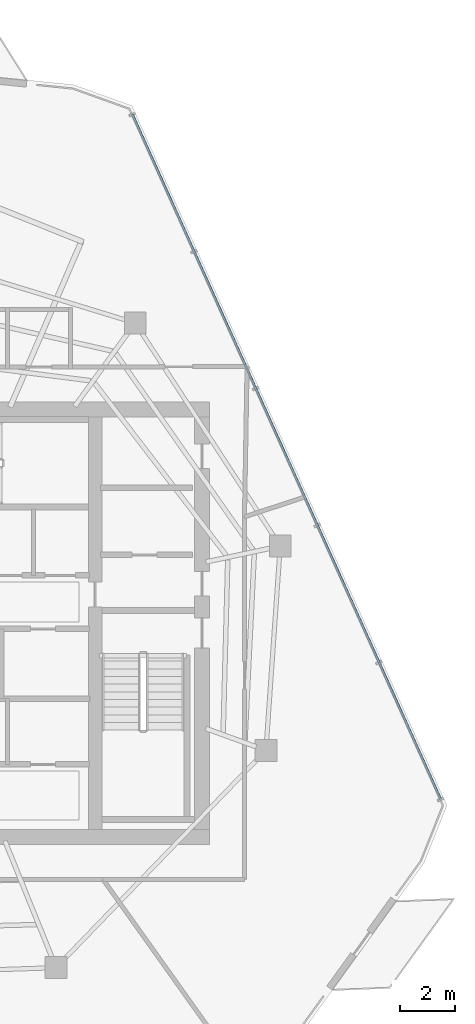
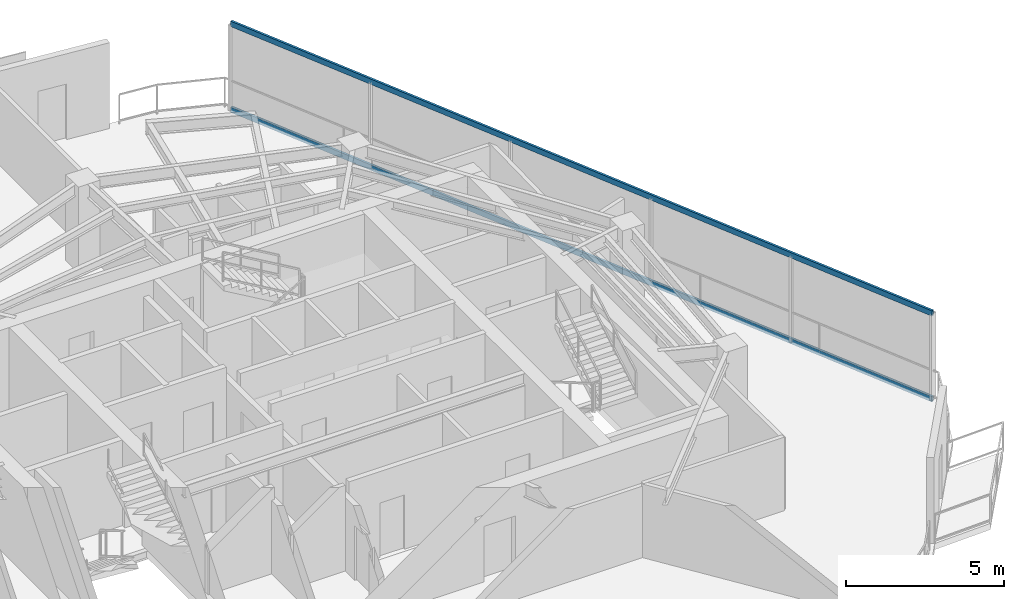
# One storey, part 12 of 18: 2 members, 1 element without a shape of its own.
"""IFC4 building model written with IfcOpenShell, lengths in metres."""

from ifc_helpers import new_model, si_unit, direction, frame, origin, origin_2d, place, context, subcontext, project, spatial, hollow_rectangle, extrude, material, layer, layer_set, material_profile, profile_set, type_object, element, aggregate, save


model = new_model("IFC4")

# Units and contexts
model_context = context("Model", 3, precision=1e-05, world=origin(), true_north=direction((0.0, 1.0)))
body_context = subcontext(model_context, "Body", "Model", "MODEL_VIEW")
ifc_project = project(units=[si_unit("LENGTHUNIT", "METRE"), si_unit("AREAUNIT", "SQUARE_METRE"), si_unit("VOLUMEUNIT", "CUBIC_METRE"), si_unit("PLANEANGLEUNIT", "RADIAN"), si_unit("MASSUNIT", "GRAM", prefix="KILO")], contexts=[model_context])

# Site, building, storey
site_placement = place(None, origin())
site = spatial("IfcSite", under=ifc_project, at=site_placement, CompositionType="ELEMENT")
building_placement = place(site_placement, origin())
building = spatial("IfcBuilding", under=site, at=building_placement, Name="Qarnah Convention Tower", CompositionType="ELEMENT")
storey_placement = place(building_placement, frame((0.0, 0.0, 271.5)))
storey = spatial("IfcBuildingStorey", under=building, at=storey_placement, Name="L73", CompositionType="ELEMENT", Elevation=271.5)

# Curtain wall, members
ifc_material_1 = material(Name="Tempered Low-E dark glass", Category="glass")
ifc_layer = layer(ifc_material_1, 0.176025390625)
ifc_layer_set = layer_set([ifc_layer], Name="Tempered Low-E dark glass")
curtain_wall_type = type_object("IfcCurtainWallType", Name="CWS-05", PredefinedType="NOTDEFINED", material=ifc_layer_set)
curtain_wall_placement = place(storey_placement, origin())
curtain_wall = element("IfcCurtainWall", 1, at=curtain_wall_placement, inside=storey, type_object=curtain_wall_type, Name="L73 unitised curtain wall CW-L73-F2", PredefinedType="NOTDEFINED")
ifc_material_2 = material(Name="Black anodised aluminium", Category="aluminium")
ifc_material_profile = material_profile(ifc_material_2, hollow_rectangle(XDim=0.080078125, YDim=0.2099609375, WallThickness=0.0048828125, at=origin_2d()), Name="TRN-80X210")
ifc_profile_set = profile_set([ifc_material_profile], Name="Black anodised aluminium")
member_type = type_object("IfcMemberType", Name="TRN-T5", PredefinedType="USERDEFINED", material=ifc_profile_set)
member_1_placement = place(storey_placement, frame((45.06005859375, 44.966064453125, 0.0), z_axis=(0.4105146942, -0.911853982744, 0.0), x_axis=(0.911853982744, 0.4105146942, 0.0)))
member_1 = element("IfcMember", 2, at=member_1_placement, type_object=member_type, Name="CW-L73-F2 transom 1", ObjectType="TRANSOM", PredefinedType="USERDEFINED", context=body_context, shape_type="SweptSolid", body=[
    extrude(hollow_rectangle(XDim=0.080078125, YDim=0.2099609375, WallThickness=0.0048828125, at=origin_2d()), origin(), (0.0, 0.0, 1.0), 27.404541015625),
])
member_2_placement = place(storey_placement, frame((45.06005859375, 44.966064453125, 3.320068359375), z_axis=(0.4105146942, -0.911853982744, 0.0), x_axis=(0.911853982744, 0.4105146942, 0.0)))
member_2 = element("IfcMember", 3, at=member_2_placement, type_object=member_type, Name="CW-L73-F2 transom 2", ObjectType="TRANSOM", PredefinedType="USERDEFINED", context=body_context, shape_type="SweptSolid", body=[
    extrude(hollow_rectangle(XDim=0.080078125, YDim=0.2099609375, WallThickness=0.0048828125, at=origin_2d()), origin(), (0.0, 0.0, 1.0), 27.404541015625),
])
aggregate(curtain_wall, [member_1, member_2])

save(model, "model.ifc")
